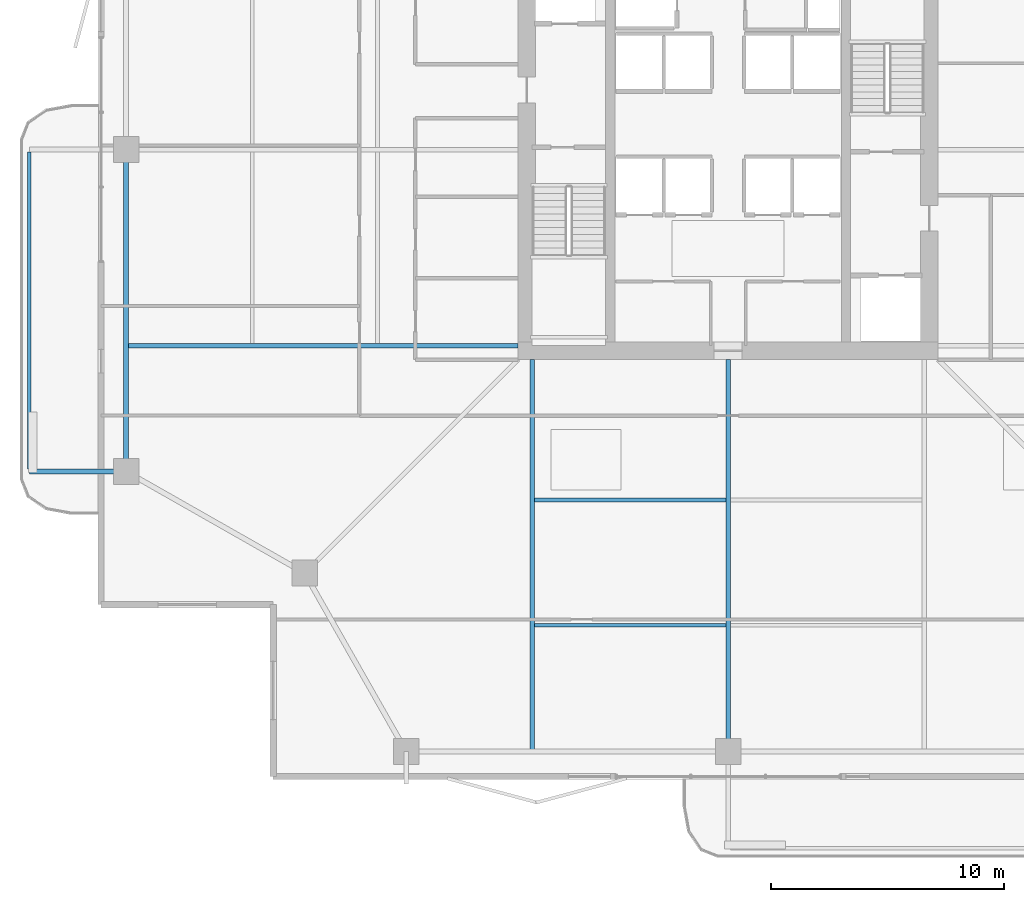
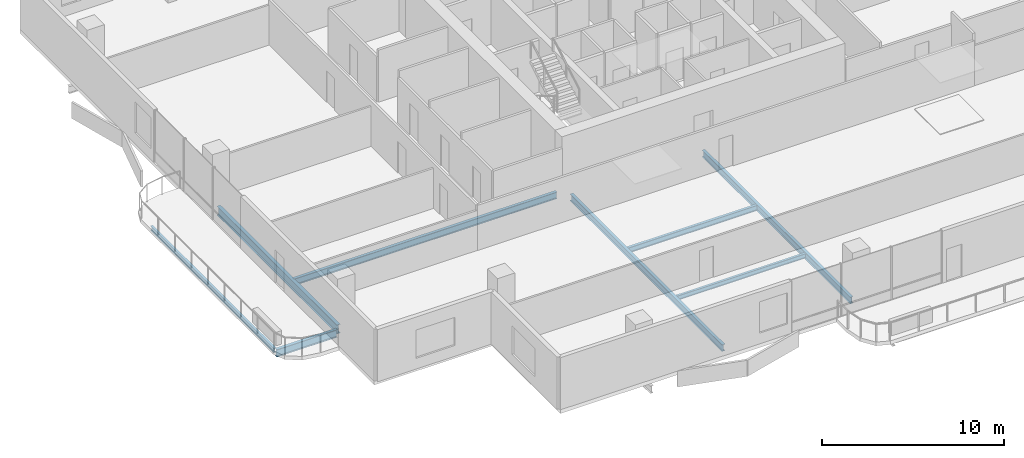
# One storey, part 3 of 24: 8 beams.
"""IFC4 building model written with IfcOpenShell, lengths in metres."""

from ifc_helpers import new_model, si_unit, direction, frame, origin, origin_2d, place, context, subcontext, project, spatial, i_section, extrude, material, material_profile, profile_set, type_object, element, save


model = new_model("IFC4")

# Units and contexts
model_context = context("Model", 3, precision=1e-05, world=origin(), true_north=direction((0.0, 1.0)))
body_context = subcontext(model_context, "Body", "Model", "MODEL_VIEW")
ifc_project = project(units=[si_unit("LENGTHUNIT", "METRE"), si_unit("AREAUNIT", "SQUARE_METRE"), si_unit("VOLUMEUNIT", "CUBIC_METRE"), si_unit("PLANEANGLEUNIT", "RADIAN"), si_unit("MASSUNIT", "GRAM", prefix="KILO")], contexts=[model_context])

# Site, building, storey
site_placement = place(None, origin())
site = spatial("IfcSite", under=ifc_project, at=site_placement, CompositionType="ELEMENT")
building_placement = place(site_placement, origin())
building = spatial("IfcBuilding", under=site, at=building_placement, Name="Belovzor Exchange Tower", CompositionType="ELEMENT")
storey_placement = place(building_placement, frame((0.0, 0.0, 237.449951171875)))
storey = spatial("IfcBuildingStorey", under=building, at=storey_placement, Name="L59", CompositionType="ELEMENT", Elevation=237.449951171875)

# Beams
ifc_material_1 = material(Name="Steel S355", Category="steel")
ifc_material_profile_1 = material_profile(ifc_material_1, i_section(OverallWidth=0.199951171875, OverallDepth=0.5, WebThickness=0.01025390625, FlangeThickness=0.01611328125, at=origin_2d()))
ifc_profile_set_1 = profile_set([ifc_material_profile_1], Name="Steel S355")
beam_type_1 = type_object("IfcBeamType", Name="Planted Balcony Cantilever Beam IPE 500", PredefinedType="BEAM", material=ifc_profile_set_1)
beam_1_placement = place(storey_placement, frame((2.697021484375, 15.0, -0.5), z_axis=(-1.0, 0.0, 0.0), x_axis=(0.0, -1.0, 0.0)))
element("IfcBeam", 1, at=beam_1_placement, inside=storey, type_object=beam_type_1, Name="BC-500 Planted Balcony Cantilever Beam IPE 500", PredefinedType="BEAM", context=body_context, shape_type="SweptSolid", body=[
    extrude(i_section(OverallWidth=0.199951171875, OverallDepth=0.5, WebThickness=0.01025390625, FlangeThickness=0.01611328125, at=origin_2d()), origin(), (0.0, 0.0, 1.0), 3.85009765625),
])
ifc_material_2 = material(Name="Steel S355", Category="steel")
ifc_material_profile_2 = material_profile(ifc_material_2, i_section(OverallWidth=0.14990234375, OverallDepth=0.300048828125, WebThickness=0.007080078125, FlangeThickness=0.0107421875, at=origin_2d()))
ifc_profile_set_2 = profile_set([ifc_material_profile_2], Name="Steel S355")
beam_type_2 = type_object("IfcBeamType", Name="Planted Balcony Fascia Edge Beam IPE 300", PredefinedType="BEAM", material=ifc_profile_set_2)
beam_2_placement = place(storey_placement, frame((-1.153076171875, 28.699951171875, -0.39990234375), z_axis=(0.0, -1.0, 0.0), x_axis=(1.0, 0.0, 0.0)))
element("IfcBeam", 2, at=beam_2_placement, inside=storey, type_object=beam_type_2, Name="BC-300 Planted Balcony Fascia Edge Beam IPE 300", PredefinedType="BEAM", context=body_context, shape_type="SweptSolid", body=[
    extrude(i_section(OverallWidth=0.14990234375, OverallDepth=0.300048828125, WebThickness=0.007080078125, FlangeThickness=0.0107421875, at=origin_2d()), origin(), (0.0, 0.0, 1.0), 13.599853515625),
])
ifc_material_3 = material(Name="Steel S355", Category="steel")
ifc_material_profile_3 = material_profile(ifc_material_3, i_section(OverallWidth=0.169921875, OverallDepth=0.360107421875, WebThickness=0.008056640625, FlangeThickness=0.0126953125, at=origin_2d()))
ifc_profile_set_3 = profile_set([ifc_material_profile_3], Name="Steel S355")
beam_type_3 = type_object("IfcBeamType", Name="Secondary Infill Floor Joist IPE 360", PredefinedType="BEAM", material=ifc_profile_set_3)
beam_3_placement = place(storey_placement, frame((20.4951171875, 13.77197265625, -0.429931640625), z_axis=(1.0, 0.0, 0.0), x_axis=(0.0, 1.0, 0.0)))
element("IfcBeam", 3, at=beam_3_placement, inside=storey, type_object=beam_type_3, Name="FJ-360 Secondary Infill Floor Joist IPE 360", PredefinedType="BEAM", context=body_context, shape_type="SweptSolid", body=[
    extrude(i_section(OverallWidth=0.169921875, OverallDepth=0.360107421875, WebThickness=0.008056640625, FlangeThickness=0.0126953125, at=origin_2d()), origin(), (0.0, 0.0, 1.0), 8.2099609375),
])
ifc_material_4 = material(Name="Steel S355", Category="steel")
ifc_material_profile_4 = material_profile(ifc_material_4, i_section(OverallWidth=0.14990234375, OverallDepth=0.300048828125, WebThickness=0.007080078125, FlangeThickness=0.0107421875, at=origin_2d()))
ifc_profile_set_4 = profile_set([ifc_material_profile_4], Name="Steel S355")
beam_type_4 = type_object("IfcBeamType", Name="Secondary Trim Floor Joist IPE 300", PredefinedType="BEAM", material=ifc_profile_set_4)
beam_4_placement = place(storey_placement, frame((20.4951171875, 8.4130859375, -0.39990234375), z_axis=(1.0, 0.0, 0.0), x_axis=(0.0, 1.0, 0.0)))
element("IfcBeam", 4, at=beam_4_placement, inside=storey, type_object=beam_type_4, Name="FJ-300 Secondary Trim Floor Joist IPE 300", PredefinedType="BEAM", context=body_context, shape_type="SweptSolid", body=[
    extrude(i_section(OverallWidth=0.14990234375, OverallDepth=0.300048828125, WebThickness=0.007080078125, FlangeThickness=0.0107421875, at=origin_2d()), origin(), (0.0, 0.0, 1.0), 8.2099609375),
])
ifc_material_5 = material(Name="Steel S355", Category="steel")
ifc_material_profile_5 = material_profile(ifc_material_5, i_section(OverallWidth=0.18994140625, OverallDepth=0.449951171875, WebThickness=0.009521484375, FlangeThickness=0.0146484375, at=origin_2d()))
ifc_profile_set_5 = profile_set([ifc_material_profile_5], Name="Steel S355")
beam_type_5 = type_object("IfcBeamType", Name="Zone 2-4 Radial Composite Floor Beam IPE 450", PredefinedType="BEAM", material=ifc_profile_set_5)
beam_5_placement = place(storey_placement, frame((20.39990234375, 19.800048828125, -0.474853515625), z_axis=(0.0, -1.0, 0.0), x_axis=(1.0, 0.0, 0.0)))
element("IfcBeam", 5, at=beam_5_placement, inside=storey, type_object=beam_type_5, Name="FB-450 Zone 2-4 Radial Composite Floor Beam IPE 450", PredefinedType="BEAM", context=body_context, shape_type="SweptSolid", body=[
    extrude(i_section(OverallWidth=0.18994140625, OverallDepth=0.449951171875, WebThickness=0.009521484375, FlangeThickness=0.0146484375, at=origin_2d()), origin(), (0.0, 0.0, 1.0), 16.7451171875),
])
beam_6_placement = place(storey_placement, frame((28.800048828125, 19.800048828125, -0.474853515625), z_axis=(0.0, -1.0, 0.0), x_axis=(1.0, 0.0, 0.0)))
element("IfcBeam", 6, at=beam_6_placement, inside=storey, type_object=beam_type_5, Name="FB-450 Zone 2-4 Radial Composite Floor Beam IPE 450", PredefinedType="BEAM", context=body_context, shape_type="SweptSolid", body=[
    extrude(i_section(OverallWidth=0.18994140625, OverallDepth=0.449951171875, WebThickness=0.009521484375, FlangeThickness=0.0146484375, at=origin_2d()), origin(), (0.0, 0.0, 1.0), 16.316162109375),
])
beam_7_placement = place(storey_placement, frame((19.800048828125, 20.39990234375, -0.474853515625), z_axis=(-1.0, 0.0, 0.0), x_axis=(0.0, -1.0, 0.0)))
element("IfcBeam", 7, at=beam_7_placement, inside=storey, type_object=beam_type_5, Name="FB-450 Zone 2-4 Radial Composite Floor Beam IPE 450", PredefinedType="BEAM", context=body_context, shape_type="SweptSolid", body=[
    extrude(i_section(OverallWidth=0.18994140625, OverallDepth=0.449951171875, WebThickness=0.009521484375, FlangeThickness=0.0146484375, at=origin_2d()), origin(), (0.0, 0.0, 1.0), 16.7451171875),
])
ifc_material_6 = material(Name="Steel S355", Category="steel")
ifc_material_profile_6 = material_profile(ifc_material_6, i_section(OverallWidth=0.219970703125, OverallDepth=0.60009765625, WebThickness=0.011962890625, FlangeThickness=0.01904296875, at=origin_2d()))
ifc_profile_set_6 = profile_set([ifc_material_profile_6], Name="Steel S355")
beam_type_6 = type_object("IfcBeamType", Name="Zone 4 Flare Primary Girder IPE 600", PredefinedType="BEAM", material=ifc_profile_set_6)
beam_8_placement = place(storey_placement, frame((3.0, 28.498046875, -0.550048828125), z_axis=(0.0, -1.0, 0.0), x_axis=(1.0, 0.0, 0.0)))
element("IfcBeam", 8, at=beam_8_placement, inside=storey, type_object=beam_type_6, Name="FG-Z4 Zone 4 Flare Primary Girder IPE 600", PredefinedType="BEAM", context=body_context, shape_type="SweptSolid", body=[
    extrude(i_section(OverallWidth=0.219970703125, OverallDepth=0.60009765625, WebThickness=0.011962890625, FlangeThickness=0.01904296875, at=origin_2d()), origin(), (0.0, 0.0, 1.0), 13.195068359375),
])

save(model, "model.ifc")
